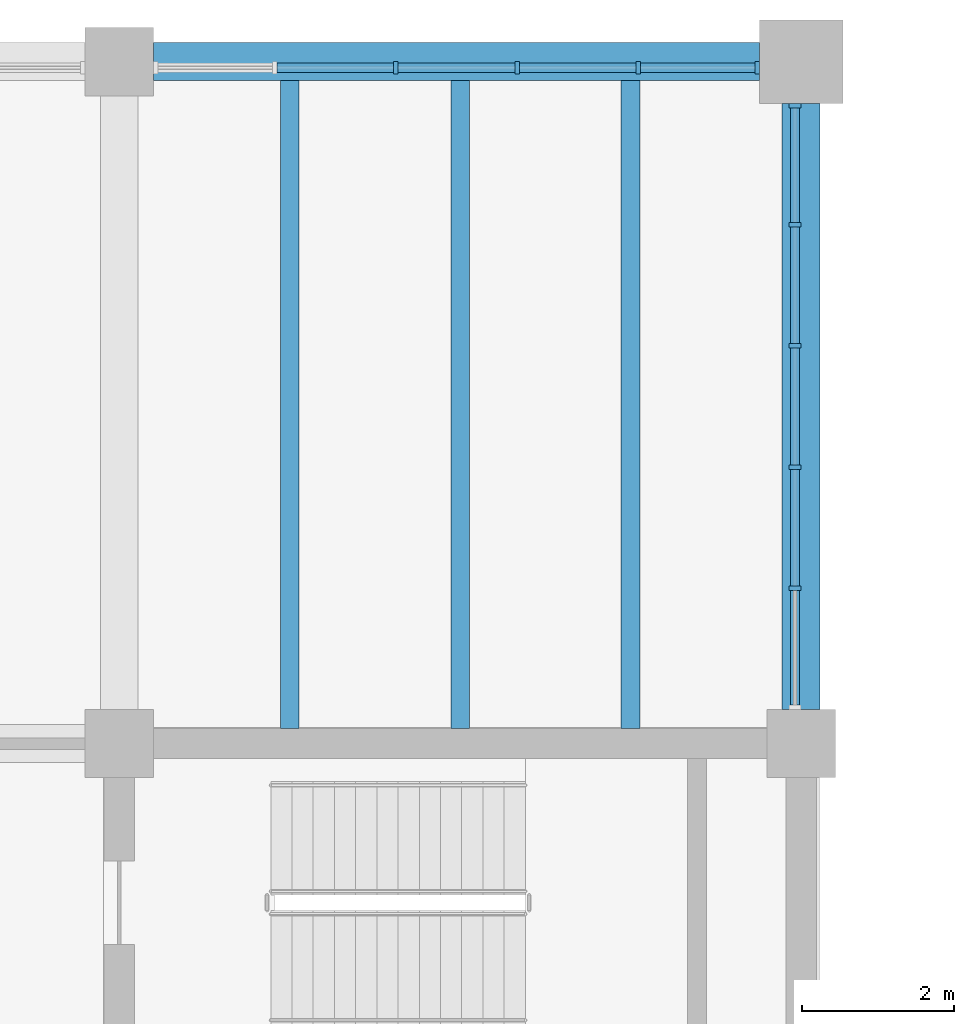
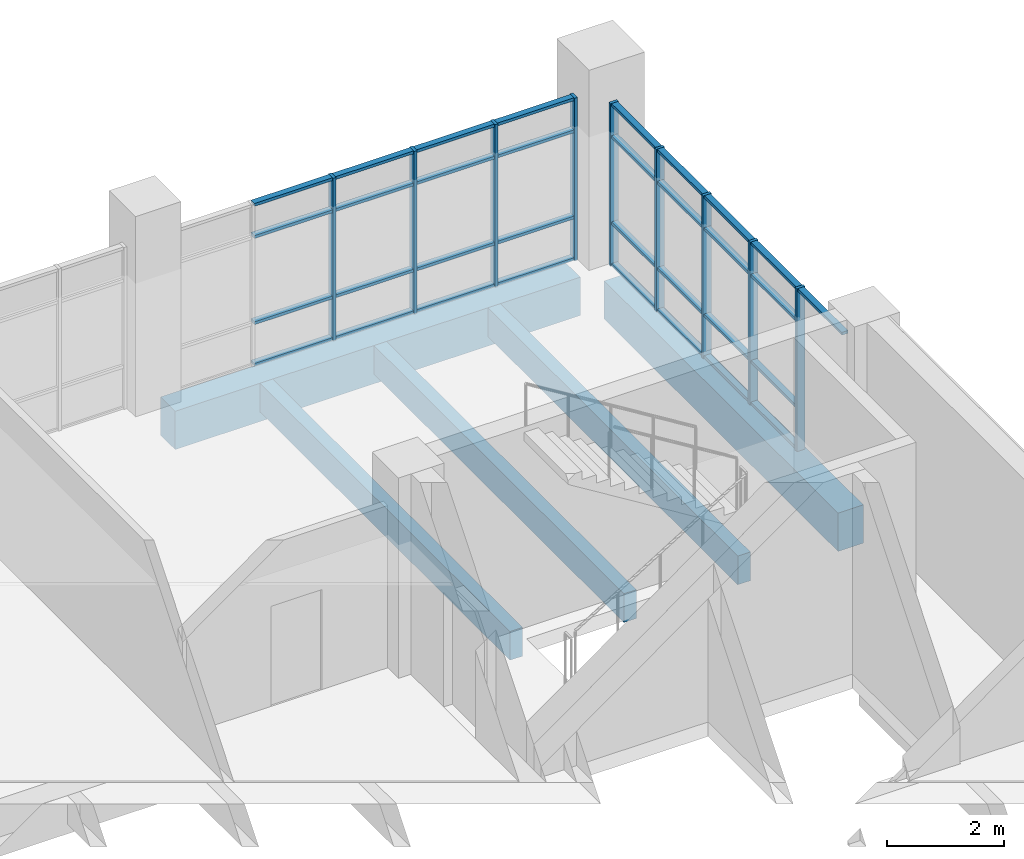
# One storey, part 33 of 92: 42 members, 5 beams, 2 elements without a shape of their own.
"""IFC4 building model written with IfcOpenShell, lengths in metres."""

from ifc_helpers import new_model, si_unit, direction, frame, origin, origin_2d, place, context, subcontext, project, spatial, rectangle, extrude, material, material_profile, profile_set, type_object, element, aggregate, save


model = new_model("IFC4")

# Units and contexts
model_context = context("Model", 3, precision=1e-05, world=origin(), true_north=direction((0.0, 1.0)))
body_context = subcontext(model_context, "Body", "Model", "MODEL_VIEW")
ifc_project = project(units=[si_unit("LENGTHUNIT", "METRE"), si_unit("AREAUNIT", "SQUARE_METRE"), si_unit("VOLUMEUNIT", "CUBIC_METRE"), si_unit("PLANEANGLEUNIT", "RADIAN"), si_unit("MASSUNIT", "GRAM", prefix="KILO")], contexts=[model_context])

# Site, building, storey
site_placement = place(None, origin())
site = spatial("IfcSite", under=ifc_project, at=site_placement, CompositionType="ELEMENT")
building_placement = place(site_placement, origin())
building = spatial("IfcBuilding", under=site, at=building_placement, Name="Merrow Basin Faculty of Sciences", CompositionType="ELEMENT")
storey_placement = place(building_placement, frame((0.0, 0.0, 4.5)))
storey = spatial("IfcBuildingStorey", under=building, at=storey_placement, Name="L01", CompositionType="ELEMENT", Elevation=4.5)

# Curtain wall, members
ifc_material_1 = material(Name="Aluminium alloy 6063", Category="aluminium")
curtain_wall_type = type_object("IfcCurtainWallType", Name="Unitised curtain wall 160", PredefinedType="NOTDEFINED", material=ifc_material_1)
curtain_wall_1_placement = place(storey_placement, origin())
curtain_wall_1 = element("IfcCurtainWall", 1, at=curtain_wall_1_placement, inside=storey, type_object=curtain_wall_type, Name="N curtain wall L01 6", PredefinedType="NOTDEFINED")
ifc_material_2 = material(Name="Aluminium alloy 6063", Category="aluminium")
ifc_material_profile_1 = material_profile(ifc_material_2, rectangle(XDim=0.159912109375, YDim=0.06005859375, at=origin_2d()))
ifc_profile_set_1 = profile_set([ifc_material_profile_1], Name="Aluminium alloy 6063")
member_type_1 = type_object("IfcMemberType", Name="Aluminium mullion 60x160", PredefinedType="MULLION", material=ifc_profile_set_1)
member_1_placement = place(storey_placement, frame((48.64990234375, 168.919921875, 0.0), z_axis=(0.0, 0.0, 1.0), x_axis=(0.0, 1.0, 0.0)))
member_1 = element("IfcMember", 2, at=member_1_placement, type_object=member_type_1, Name="CW3 mullion 3", PredefinedType="MULLION", context=body_context, shape_type="SweptSolid", body=[
    extrude(rectangle(XDim=0.159912109375, YDim=0.06005859375, at=origin_2d()), origin(), (0.0, 0.0, 1.0), 3.39990234375),
])
member_2_placement = place(storey_placement, frame((50.25, 168.919921875, 0.0), z_axis=(0.0, 0.0, 1.0), x_axis=(0.0, 1.0, 0.0)))
member_2 = element("IfcMember", 3, at=member_2_placement, type_object=member_type_1, Name="CW3 mullion 4", PredefinedType="MULLION", context=body_context, shape_type="SweptSolid", body=[
    extrude(rectangle(XDim=0.159912109375, YDim=0.06005859375, at=origin_2d()), origin(), (0.0, 0.0, 1.0), 3.39990234375),
])
member_3_placement = place(storey_placement, frame((51.85009765625, 168.919921875, 0.0), z_axis=(0.0, 0.0, 1.0), x_axis=(0.0, 1.0, 0.0)))
member_3 = element("IfcMember", 4, at=member_3_placement, type_object=member_type_1, Name="CW3 mullion 5", PredefinedType="MULLION", context=body_context, shape_type="SweptSolid", body=[
    extrude(rectangle(XDim=0.159912109375, YDim=0.06005859375, at=origin_2d()), origin(), (0.0, 0.0, 1.0), 3.39990234375),
])
member_4_placement = place(storey_placement, frame((53.419921875, 168.919921875, 0.0), z_axis=(0.0, 0.0, 1.0), x_axis=(0.0, 1.0, 0.0)))
member_4 = element("IfcMember", 5, at=member_4_placement, type_object=member_type_1, Name="CW3 mullion 6", PredefinedType="MULLION", context=body_context, shape_type="SweptSolid", body=[
    extrude(rectangle(XDim=0.159912109375, YDim=0.06005859375, at=origin_2d()), origin(), (0.0, 0.0, 1.0), 3.39990234375),
])

curtain_wall_2_placement = place(storey_placement, origin())
curtain_wall_2 = element("IfcCurtainWall", 6, at=curtain_wall_2_placement, inside=storey, type_object=curtain_wall_type, Name="E curtain wall L01 1", PredefinedType="NOTDEFINED")
member_5_placement = place(storey_placement, frame((53.919921875, 162.050048828125, 0.0), z_axis=(0.0, 0.0, 1.0), x_axis=(-1.0, 0.0, 0.0)))
member_5 = element("IfcMember", 7, at=member_5_placement, type_object=member_type_1, Name="CW3 mullion 2", PredefinedType="MULLION", context=body_context, shape_type="SweptSolid", body=[
    extrude(rectangle(XDim=0.159912109375, YDim=0.06005859375, at=origin_2d()), origin(), (0.0, 0.0, 1.0), 3.39990234375),
])
member_6_placement = place(storey_placement, frame((53.919921875, 163.64990234375, 0.0), z_axis=(0.0, 0.0, 1.0), x_axis=(-1.0, 0.0, 0.0)))
member_6 = element("IfcMember", 8, at=member_6_placement, type_object=member_type_1, Name="CW3 mullion 3", PredefinedType="MULLION", context=body_context, shape_type="SweptSolid", body=[
    extrude(rectangle(XDim=0.159912109375, YDim=0.06005859375, at=origin_2d()), origin(), (0.0, 0.0, 1.0), 3.39990234375),
])
member_7_placement = place(storey_placement, frame((53.919921875, 165.25, 0.0), z_axis=(0.0, 0.0, 1.0), x_axis=(-1.0, 0.0, 0.0)))
member_7 = element("IfcMember", 9, at=member_7_placement, type_object=member_type_1, Name="CW3 mullion 4", PredefinedType="MULLION", context=body_context, shape_type="SweptSolid", body=[
    extrude(rectangle(XDim=0.159912109375, YDim=0.06005859375, at=origin_2d()), origin(), (0.0, 0.0, 1.0), 3.39990234375),
])
member_8_placement = place(storey_placement, frame((53.919921875, 166.85009765625, 0.0), z_axis=(0.0, 0.0, 1.0), x_axis=(-1.0, 0.0, 0.0)))
member_8 = element("IfcMember", 10, at=member_8_placement, type_object=member_type_1, Name="CW3 mullion 5", PredefinedType="MULLION", context=body_context, shape_type="SweptSolid", body=[
    extrude(rectangle(XDim=0.159912109375, YDim=0.06005859375, at=origin_2d()), origin(), (0.0, 0.0, 1.0), 3.39990234375),
])
member_9_placement = place(storey_placement, frame((53.919921875, 168.419921875, 0.0), z_axis=(0.0, 0.0, 1.0), x_axis=(-1.0, 0.0, 0.0)))
member_9 = element("IfcMember", 11, at=member_9_placement, type_object=member_type_1, Name="CW3 mullion 6", PredefinedType="MULLION", context=body_context, shape_type="SweptSolid", body=[
    extrude(rectangle(XDim=0.159912109375, YDim=0.06005859375, at=origin_2d()), origin(), (0.0, 0.0, 1.0), 3.39990234375),
])

# Member
ifc_material_3 = material(Name="Aluminium alloy 6063", Category="aluminium")
ifc_material_profile_2 = material_profile(ifc_material_3, rectangle(XDim=0.1201171875, YDim=0.06005859375, at=origin_2d()))
ifc_profile_set_2 = profile_set([ifc_material_profile_2], Name="Aluminium alloy 6063")
member_type_2 = type_object("IfcMemberType", Name="Aluminium transom 60x120", PredefinedType="USERDEFINED", material=ifc_profile_set_2)
member_10_placement = place(storey_placement, frame((47.080078125, 168.919921875, 0.030029296875), z_axis=(1.0, 0.0, 0.0), x_axis=(0.0, 1.0, 0.0)))
member_10 = element("IfcMember", 12, at=member_10_placement, type_object=member_type_2, Name="CW3 transom 2.1", ObjectType="TRANSOM", PredefinedType="USERDEFINED", context=body_context, shape_type="SweptSolid", body=[
    extrude(rectangle(XDim=0.1201171875, YDim=0.06005859375, at=origin_2d()), origin(), (0.0, 0.0, 1.0), 1.5400390625),
])

member_11_placement = place(storey_placement, frame((47.080078125, 168.919921875, 0.89990234375), z_axis=(1.0, 0.0, 0.0), x_axis=(0.0, 1.0, 0.0)))
member_11 = element("IfcMember", 13, at=member_11_placement, type_object=member_type_2, Name="CW3 transom 2.2", ObjectType="TRANSOM", PredefinedType="USERDEFINED", context=body_context, shape_type="SweptSolid", body=[
    extrude(rectangle(XDim=0.1201171875, YDim=0.06005859375, at=origin_2d()), origin(), (0.0, 0.0, 1.0), 1.5400390625),
])

member_12_placement = place(storey_placement, frame((47.080078125, 168.919921875, 2.699951171875), z_axis=(1.0, 0.0, 0.0), x_axis=(0.0, 1.0, 0.0)))
member_12 = element("IfcMember", 14, at=member_12_placement, type_object=member_type_2, Name="CW3 transom 2.3", ObjectType="TRANSOM", PredefinedType="USERDEFINED", context=body_context, shape_type="SweptSolid", body=[
    extrude(rectangle(XDim=0.1201171875, YDim=0.06005859375, at=origin_2d()), origin(), (0.0, 0.0, 1.0), 1.5400390625),
])

member_13_placement = place(storey_placement, frame((47.080078125, 168.919921875, 3.3701171875), z_axis=(1.0, 0.0, 0.0), x_axis=(0.0, 1.0, 0.0)))
member_13 = element("IfcMember", 15, at=member_13_placement, type_object=member_type_2, Name="CW3 transom 2.4", ObjectType="TRANSOM", PredefinedType="USERDEFINED", context=body_context, shape_type="SweptSolid", body=[
    extrude(rectangle(XDim=0.1201171875, YDim=0.06005859375, at=origin_2d()), origin(), (0.0, 0.0, 1.0), 1.5400390625),
])

member_14_placement = place(storey_placement, frame((48.679931640625, 168.919921875, 0.030029296875), z_axis=(1.0, 0.0, 0.0), x_axis=(0.0, 1.0, 0.0)))
member_14 = element("IfcMember", 16, at=member_14_placement, type_object=member_type_2, Name="CW3 transom 3.1", ObjectType="TRANSOM", PredefinedType="USERDEFINED", context=body_context, shape_type="SweptSolid", body=[
    extrude(rectangle(XDim=0.1201171875, YDim=0.06005859375, at=origin_2d()), origin(), (0.0, 0.0, 1.0), 1.5400390625),
])

member_15_placement = place(storey_placement, frame((48.679931640625, 168.919921875, 0.89990234375), z_axis=(1.0, 0.0, 0.0), x_axis=(0.0, 1.0, 0.0)))
member_15 = element("IfcMember", 17, at=member_15_placement, type_object=member_type_2, Name="CW3 transom 3.2", ObjectType="TRANSOM", PredefinedType="USERDEFINED", context=body_context, shape_type="SweptSolid", body=[
    extrude(rectangle(XDim=0.1201171875, YDim=0.06005859375, at=origin_2d()), origin(), (0.0, 0.0, 1.0), 1.5400390625),
])

member_16_placement = place(storey_placement, frame((48.679931640625, 168.919921875, 2.699951171875), z_axis=(1.0, 0.0, 0.0), x_axis=(0.0, 1.0, 0.0)))
member_16 = element("IfcMember", 18, at=member_16_placement, type_object=member_type_2, Name="CW3 transom 3.3", ObjectType="TRANSOM", PredefinedType="USERDEFINED", context=body_context, shape_type="SweptSolid", body=[
    extrude(rectangle(XDim=0.1201171875, YDim=0.06005859375, at=origin_2d()), origin(), (0.0, 0.0, 1.0), 1.5400390625),
])

member_17_placement = place(storey_placement, frame((48.679931640625, 168.919921875, 3.3701171875), z_axis=(1.0, 0.0, 0.0), x_axis=(0.0, 1.0, 0.0)))
member_17 = element("IfcMember", 19, at=member_17_placement, type_object=member_type_2, Name="CW3 transom 3.4", ObjectType="TRANSOM", PredefinedType="USERDEFINED", context=body_context, shape_type="SweptSolid", body=[
    extrude(rectangle(XDim=0.1201171875, YDim=0.06005859375, at=origin_2d()), origin(), (0.0, 0.0, 1.0), 1.5400390625),
])

member_18_placement = place(storey_placement, frame((50.280029296875, 168.919921875, 0.030029296875), z_axis=(1.0, 0.0, 0.0), x_axis=(0.0, 1.0, 0.0)))
member_18 = element("IfcMember", 20, at=member_18_placement, type_object=member_type_2, Name="CW3 transom 4.1", ObjectType="TRANSOM", PredefinedType="USERDEFINED", context=body_context, shape_type="SweptSolid", body=[
    extrude(rectangle(XDim=0.1201171875, YDim=0.06005859375, at=origin_2d()), origin(), (0.0, 0.0, 1.0), 1.5400390625),
])

member_19_placement = place(storey_placement, frame((50.280029296875, 168.919921875, 0.89990234375), z_axis=(1.0, 0.0, 0.0), x_axis=(0.0, 1.0, 0.0)))
member_19 = element("IfcMember", 21, at=member_19_placement, type_object=member_type_2, Name="CW3 transom 4.2", ObjectType="TRANSOM", PredefinedType="USERDEFINED", context=body_context, shape_type="SweptSolid", body=[
    extrude(rectangle(XDim=0.1201171875, YDim=0.06005859375, at=origin_2d()), origin(), (0.0, 0.0, 1.0), 1.5400390625),
])

member_20_placement = place(storey_placement, frame((50.280029296875, 168.919921875, 2.699951171875), z_axis=(1.0, 0.0, 0.0), x_axis=(0.0, 1.0, 0.0)))
member_20 = element("IfcMember", 22, at=member_20_placement, type_object=member_type_2, Name="CW3 transom 4.3", ObjectType="TRANSOM", PredefinedType="USERDEFINED", context=body_context, shape_type="SweptSolid", body=[
    extrude(rectangle(XDim=0.1201171875, YDim=0.06005859375, at=origin_2d()), origin(), (0.0, 0.0, 1.0), 1.5400390625),
])

member_21_placement = place(storey_placement, frame((50.280029296875, 168.919921875, 3.3701171875), z_axis=(1.0, 0.0, 0.0), x_axis=(0.0, 1.0, 0.0)))
member_21 = element("IfcMember", 23, at=member_21_placement, type_object=member_type_2, Name="CW3 transom 4.4", ObjectType="TRANSOM", PredefinedType="USERDEFINED", context=body_context, shape_type="SweptSolid", body=[
    extrude(rectangle(XDim=0.1201171875, YDim=0.06005859375, at=origin_2d()), origin(), (0.0, 0.0, 1.0), 1.5400390625),
])

member_22_placement = place(storey_placement, frame((51.8798828125, 168.919921875, 0.030029296875), z_axis=(1.0, 0.0, 0.0), x_axis=(0.0, 1.0, 0.0)))
member_22 = element("IfcMember", 24, at=member_22_placement, type_object=member_type_2, Name="CW3 transom 5.1", ObjectType="TRANSOM", PredefinedType="USERDEFINED", context=body_context, shape_type="SweptSolid", body=[
    extrude(rectangle(XDim=0.1201171875, YDim=0.06005859375, at=origin_2d()), origin(), (0.0, 0.0, 1.0), 1.510009765625),
])

member_23_placement = place(storey_placement, frame((51.8798828125, 168.919921875, 0.89990234375), z_axis=(1.0, 0.0, 0.0), x_axis=(0.0, 1.0, 0.0)))
member_23 = element("IfcMember", 25, at=member_23_placement, type_object=member_type_2, Name="CW3 transom 5.2", ObjectType="TRANSOM", PredefinedType="USERDEFINED", context=body_context, shape_type="SweptSolid", body=[
    extrude(rectangle(XDim=0.1201171875, YDim=0.06005859375, at=origin_2d()), origin(), (0.0, 0.0, 1.0), 1.510009765625),
])

member_24_placement = place(storey_placement, frame((51.8798828125, 168.919921875, 2.699951171875), z_axis=(1.0, 0.0, 0.0), x_axis=(0.0, 1.0, 0.0)))
member_24 = element("IfcMember", 26, at=member_24_placement, type_object=member_type_2, Name="CW3 transom 5.3", ObjectType="TRANSOM", PredefinedType="USERDEFINED", context=body_context, shape_type="SweptSolid", body=[
    extrude(rectangle(XDim=0.1201171875, YDim=0.06005859375, at=origin_2d()), origin(), (0.0, 0.0, 1.0), 1.510009765625),
])

member_25_placement = place(storey_placement, frame((51.8798828125, 168.919921875, 3.3701171875), z_axis=(1.0, 0.0, 0.0), x_axis=(0.0, 1.0, 0.0)))
member_25 = element("IfcMember", 27, at=member_25_placement, type_object=member_type_2, Name="CW3 transom 5.4", ObjectType="TRANSOM", PredefinedType="USERDEFINED", context=body_context, shape_type="SweptSolid", body=[
    extrude(rectangle(XDim=0.1201171875, YDim=0.06005859375, at=origin_2d()), origin(), (0.0, 0.0, 1.0), 1.510009765625),
])

aggregate(curtain_wall_1, [member_1, member_2, member_3, member_4, member_10, member_11, member_12, member_13, member_14, member_15, member_16, member_17, member_18, member_19, member_20, member_21, member_22, member_23, member_24, member_25])

member_26_placement = place(storey_placement, frame((53.919921875, 160.510009765625, 3.3701171875), z_axis=(0.0, 1.0, 0.0), x_axis=(-1.0, 0.0, 0.0)))
member_26 = element("IfcMember", 28, at=member_26_placement, type_object=member_type_2, Name="CW3 transom 1.4", ObjectType="TRANSOM", PredefinedType="USERDEFINED", context=body_context, shape_type="SweptSolid", body=[
    extrude(rectangle(XDim=0.1201171875, YDim=0.06005859375, at=origin_2d()), origin(), (0.0, 0.0, 1.0), 1.510009765625),
])

member_27_placement = place(storey_placement, frame((53.919921875, 162.080078125, 0.030029296875), z_axis=(0.0, 1.0, 0.0), x_axis=(-1.0, 0.0, 0.0)))
member_27 = element("IfcMember", 29, at=member_27_placement, type_object=member_type_2, Name="CW3 transom 2.1", ObjectType="TRANSOM", PredefinedType="USERDEFINED", context=body_context, shape_type="SweptSolid", body=[
    extrude(rectangle(XDim=0.1201171875, YDim=0.06005859375, at=origin_2d()), origin(), (0.0, 0.0, 1.0), 1.5400390625),
])

member_28_placement = place(storey_placement, frame((53.919921875, 162.080078125, 0.89990234375), z_axis=(0.0, 1.0, 0.0), x_axis=(-1.0, 0.0, 0.0)))
member_28 = element("IfcMember", 30, at=member_28_placement, type_object=member_type_2, Name="CW3 transom 2.2", ObjectType="TRANSOM", PredefinedType="USERDEFINED", context=body_context, shape_type="SweptSolid", body=[
    extrude(rectangle(XDim=0.1201171875, YDim=0.06005859375, at=origin_2d()), origin(), (0.0, 0.0, 1.0), 1.5400390625),
])

member_29_placement = place(storey_placement, frame((53.919921875, 162.080078125, 2.699951171875), z_axis=(0.0, 1.0, 0.0), x_axis=(-1.0, 0.0, 0.0)))
member_29 = element("IfcMember", 31, at=member_29_placement, type_object=member_type_2, Name="CW3 transom 2.3", ObjectType="TRANSOM", PredefinedType="USERDEFINED", context=body_context, shape_type="SweptSolid", body=[
    extrude(rectangle(XDim=0.1201171875, YDim=0.06005859375, at=origin_2d()), origin(), (0.0, 0.0, 1.0), 1.5400390625),
])

member_30_placement = place(storey_placement, frame((53.919921875, 162.080078125, 3.3701171875), z_axis=(0.0, 1.0, 0.0), x_axis=(-1.0, 0.0, 0.0)))
member_30 = element("IfcMember", 32, at=member_30_placement, type_object=member_type_2, Name="CW3 transom 2.4", ObjectType="TRANSOM", PredefinedType="USERDEFINED", context=body_context, shape_type="SweptSolid", body=[
    extrude(rectangle(XDim=0.1201171875, YDim=0.06005859375, at=origin_2d()), origin(), (0.0, 0.0, 1.0), 1.5400390625),
])

member_31_placement = place(storey_placement, frame((53.919921875, 163.679931640625, 0.030029296875), z_axis=(0.0, 1.0, 0.0), x_axis=(-1.0, 0.0, 0.0)))
member_31 = element("IfcMember", 33, at=member_31_placement, type_object=member_type_2, Name="CW3 transom 3.1", ObjectType="TRANSOM", PredefinedType="USERDEFINED", context=body_context, shape_type="SweptSolid", body=[
    extrude(rectangle(XDim=0.1201171875, YDim=0.06005859375, at=origin_2d()), origin(), (0.0, 0.0, 1.0), 1.5400390625),
])

member_32_placement = place(storey_placement, frame((53.919921875, 163.679931640625, 0.89990234375), z_axis=(0.0, 1.0, 0.0), x_axis=(-1.0, 0.0, 0.0)))
member_32 = element("IfcMember", 34, at=member_32_placement, type_object=member_type_2, Name="CW3 transom 3.2", ObjectType="TRANSOM", PredefinedType="USERDEFINED", context=body_context, shape_type="SweptSolid", body=[
    extrude(rectangle(XDim=0.1201171875, YDim=0.06005859375, at=origin_2d()), origin(), (0.0, 0.0, 1.0), 1.5400390625),
])

member_33_placement = place(storey_placement, frame((53.919921875, 163.679931640625, 2.699951171875), z_axis=(0.0, 1.0, 0.0), x_axis=(-1.0, 0.0, 0.0)))
member_33 = element("IfcMember", 35, at=member_33_placement, type_object=member_type_2, Name="CW3 transom 3.3", ObjectType="TRANSOM", PredefinedType="USERDEFINED", context=body_context, shape_type="SweptSolid", body=[
    extrude(rectangle(XDim=0.1201171875, YDim=0.06005859375, at=origin_2d()), origin(), (0.0, 0.0, 1.0), 1.5400390625),
])

member_34_placement = place(storey_placement, frame((53.919921875, 163.679931640625, 3.3701171875), z_axis=(0.0, 1.0, 0.0), x_axis=(-1.0, 0.0, 0.0)))
member_34 = element("IfcMember", 36, at=member_34_placement, type_object=member_type_2, Name="CW3 transom 3.4", ObjectType="TRANSOM", PredefinedType="USERDEFINED", context=body_context, shape_type="SweptSolid", body=[
    extrude(rectangle(XDim=0.1201171875, YDim=0.06005859375, at=origin_2d()), origin(), (0.0, 0.0, 1.0), 1.5400390625),
])

member_35_placement = place(storey_placement, frame((53.919921875, 165.280029296875, 0.030029296875), z_axis=(0.0, 1.0, 0.0), x_axis=(-1.0, 0.0, 0.0)))
member_35 = element("IfcMember", 37, at=member_35_placement, type_object=member_type_2, Name="CW3 transom 4.1", ObjectType="TRANSOM", PredefinedType="USERDEFINED", context=body_context, shape_type="SweptSolid", body=[
    extrude(rectangle(XDim=0.1201171875, YDim=0.06005859375, at=origin_2d()), origin(), (0.0, 0.0, 1.0), 1.5400390625),
])

member_36_placement = place(storey_placement, frame((53.919921875, 165.280029296875, 0.89990234375), z_axis=(0.0, 1.0, 0.0), x_axis=(-1.0, 0.0, 0.0)))
member_36 = element("IfcMember", 38, at=member_36_placement, type_object=member_type_2, Name="CW3 transom 4.2", ObjectType="TRANSOM", PredefinedType="USERDEFINED", context=body_context, shape_type="SweptSolid", body=[
    extrude(rectangle(XDim=0.1201171875, YDim=0.06005859375, at=origin_2d()), origin(), (0.0, 0.0, 1.0), 1.5400390625),
])

member_37_placement = place(storey_placement, frame((53.919921875, 165.280029296875, 2.699951171875), z_axis=(0.0, 1.0, 0.0), x_axis=(-1.0, 0.0, 0.0)))
member_37 = element("IfcMember", 39, at=member_37_placement, type_object=member_type_2, Name="CW3 transom 4.3", ObjectType="TRANSOM", PredefinedType="USERDEFINED", context=body_context, shape_type="SweptSolid", body=[
    extrude(rectangle(XDim=0.1201171875, YDim=0.06005859375, at=origin_2d()), origin(), (0.0, 0.0, 1.0), 1.5400390625),
])

member_38_placement = place(storey_placement, frame((53.919921875, 165.280029296875, 3.3701171875), z_axis=(0.0, 1.0, 0.0), x_axis=(-1.0, 0.0, 0.0)))
member_38 = element("IfcMember", 40, at=member_38_placement, type_object=member_type_2, Name="CW3 transom 4.4", ObjectType="TRANSOM", PredefinedType="USERDEFINED", context=body_context, shape_type="SweptSolid", body=[
    extrude(rectangle(XDim=0.1201171875, YDim=0.06005859375, at=origin_2d()), origin(), (0.0, 0.0, 1.0), 1.5400390625),
])

member_39_placement = place(storey_placement, frame((53.919921875, 166.8798828125, 0.030029296875), z_axis=(0.0, 1.0, 0.0), x_axis=(-1.0, 0.0, 0.0)))
member_39 = element("IfcMember", 41, at=member_39_placement, type_object=member_type_2, Name="CW3 transom 5.1", ObjectType="TRANSOM", PredefinedType="USERDEFINED", context=body_context, shape_type="SweptSolid", body=[
    extrude(rectangle(XDim=0.1201171875, YDim=0.06005859375, at=origin_2d()), origin(), (0.0, 0.0, 1.0), 1.510009765625),
])

member_40_placement = place(storey_placement, frame((53.919921875, 166.8798828125, 0.89990234375), z_axis=(0.0, 1.0, 0.0), x_axis=(-1.0, 0.0, 0.0)))
member_40 = element("IfcMember", 42, at=member_40_placement, type_object=member_type_2, Name="CW3 transom 5.2", ObjectType="TRANSOM", PredefinedType="USERDEFINED", context=body_context, shape_type="SweptSolid", body=[
    extrude(rectangle(XDim=0.1201171875, YDim=0.06005859375, at=origin_2d()), origin(), (0.0, 0.0, 1.0), 1.510009765625),
])

member_41_placement = place(storey_placement, frame((53.919921875, 166.8798828125, 2.699951171875), z_axis=(0.0, 1.0, 0.0), x_axis=(-1.0, 0.0, 0.0)))
member_41 = element("IfcMember", 43, at=member_41_placement, type_object=member_type_2, Name="CW3 transom 5.3", ObjectType="TRANSOM", PredefinedType="USERDEFINED", context=body_context, shape_type="SweptSolid", body=[
    extrude(rectangle(XDim=0.1201171875, YDim=0.06005859375, at=origin_2d()), origin(), (0.0, 0.0, 1.0), 1.510009765625),
])

member_42_placement = place(storey_placement, frame((53.919921875, 166.8798828125, 3.3701171875), z_axis=(0.0, 1.0, 0.0), x_axis=(-1.0, 0.0, 0.0)))
member_42 = element("IfcMember", 44, at=member_42_placement, type_object=member_type_2, Name="CW3 transom 5.4", ObjectType="TRANSOM", PredefinedType="USERDEFINED", context=body_context, shape_type="SweptSolid", body=[
    extrude(rectangle(XDim=0.1201171875, YDim=0.06005859375, at=origin_2d()), origin(), (0.0, 0.0, 1.0), 1.510009765625),
])

aggregate(curtain_wall_2, [member_5, member_6, member_7, member_8, member_9, member_26, member_27, member_28, member_29, member_30, member_31, member_32, member_33, member_34, member_35, member_36, member_37, member_38, member_39, member_40, member_41, member_42])

# Beams
ifc_material_4 = material(Name="Concrete C40/50", Category="concrete")
ifc_material_profile_3 = material_profile(ifc_material_4, rectangle(XDim=0.5, YDim=0.800048828125, at=origin_2d()))
ifc_profile_set_3 = profile_set([ifc_material_profile_3], Name="Concrete C40/50")
beam_type_1 = type_object("IfcBeamType", Name="Beam RC500x800 C40/50", PredefinedType="BEAM", material=ifc_profile_set_3)
for number, where, z_axis, x_axis, name in (
    (45, (45.449951171875, 169.0, -0.699951171875), (1.0, 0.0, 0.0), (0.0, 1.0, 0.0), "B4 L01 012"),
    (46, (54.0, 160.449951171875, -0.699951171875), (0.0, 1.0, 0.0), (-1.0, 0.0, 0.0), "B4 L01 021"),
):
    element("IfcBeam", number, at=place(storey_placement, frame(where, z_axis=z_axis, x_axis=x_axis)), inside=storey, type_object=beam_type_1, Name=name, PredefinedType="BEAM", context=body_context, shape_type="SweptSolid", body=[
        extrude(rectangle(XDim=0.5, YDim=0.800048828125, at=origin_2d()), origin(), (0.0, 0.0, 1.0), 8.0),
    ])
ifc_material_5 = material(Name="Concrete C40/50", Category="concrete")
ifc_material_profile_4 = material_profile(ifc_material_5, rectangle(XDim=0.25, YDim=0.60009765625, at=origin_2d()))
ifc_profile_set_4 = profile_set([ifc_material_profile_4], Name="Concrete C40/50")
beam_type_2 = type_object("IfcBeamType", Name="Tower floor joist RC250x600 C40/50", PredefinedType="BEAM", material=ifc_profile_set_4)
for number, where, z_axis, x_axis, name in (
    (47, (47.25, 160.199951171875, -0.60009765625), (0.0, 1.0, 0.0), (-1.0, 0.0, 0.0), "JT1 L01 056"),
    (48, (49.5, 160.199951171875, -0.60009765625), (0.0, 1.0, 0.0), (-1.0, 0.0, 0.0), "JT1 L01 057"),
    (49, (51.75, 160.199951171875, -0.60009765625), (0.0, 1.0, 0.0), (-1.0, 0.0, 0.0), "JT1 L01 058"),
):
    element("IfcBeam", number, at=place(storey_placement, frame(where, z_axis=z_axis, x_axis=x_axis)), inside=storey, type_object=beam_type_2, Name=name, PredefinedType="BEAM", context=body_context, shape_type="SweptSolid", body=[
        extrude(rectangle(XDim=0.25, YDim=0.60009765625, at=origin_2d()), origin(), (0.0, 0.0, 1.0), 8.550048828125),
    ])

save(model, "model.ifc")
